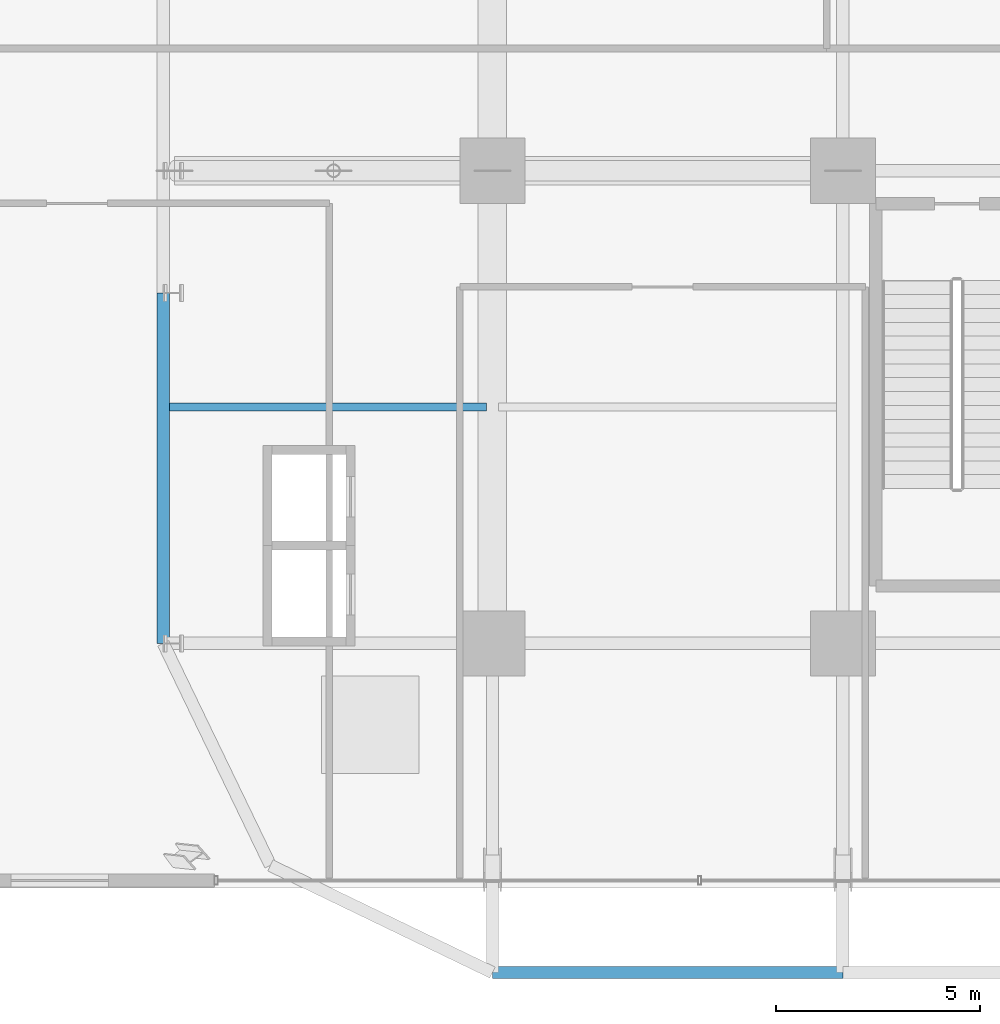
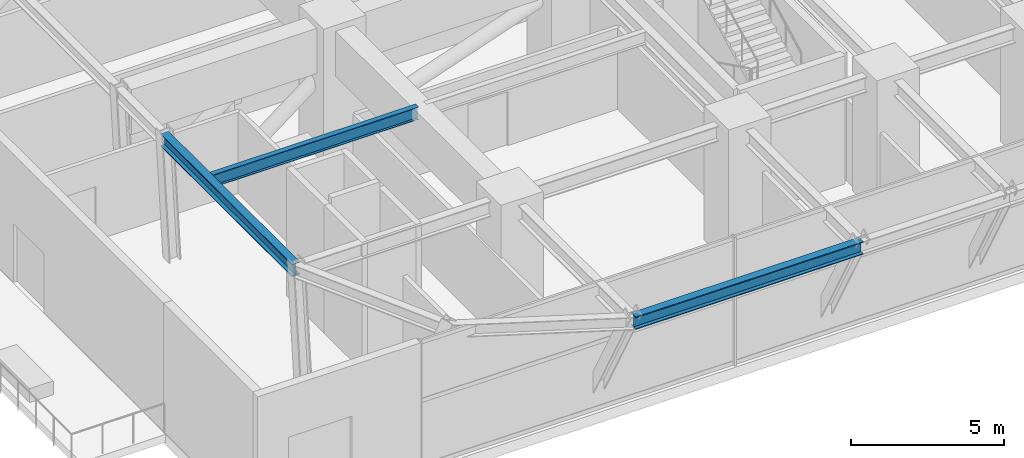
# One storey, part 3 of 29: 3 beams.
"""IFC4 building model written with IfcOpenShell, lengths in metres."""

from ifc_helpers import new_model, si_unit, direction, frame, origin, origin_2d, place, context, subcontext, project, spatial, i_section, extrude, source, transform, mapped, material, material_profile, profile_set, type_object, element, save


model = new_model("IFC4")

# Units and contexts
model_context = context("Model", 3, precision=1e-05, world=origin(), true_north=direction((0.0, 1.0)))
body_context = subcontext(model_context, "Body", "Model", "MODEL_VIEW")
ifc_project = project(units=[si_unit("LENGTHUNIT", "METRE"), si_unit("AREAUNIT", "SQUARE_METRE"), si_unit("VOLUMEUNIT", "CUBIC_METRE"), si_unit("PLANEANGLEUNIT", "RADIAN"), si_unit("MASSUNIT", "GRAM", prefix="KILO")], contexts=[model_context])

# Site, building, storey
site_placement = place(None, origin())
site = spatial("IfcSite", under=ifc_project, at=site_placement, CompositionType="ELEMENT")
building_placement = place(site_placement, origin())
building = spatial("IfcBuilding", under=site, at=building_placement, Name="Nahalor Promenade Grand Hotel", CompositionType="ELEMENT")
storey_placement = place(building_placement, frame((0.0, 0.0, 27.0)))
storey = spatial("IfcBuildingStorey", under=building, at=storey_placement, Name="L05", CompositionType="ELEMENT", Elevation=27.0)

# Beams
ifc_material = material(Name="Steel S355JR", Category="steel")
ifc_material_profile_1 = material_profile(ifc_material, i_section(OverallWidth=0.3, OverallDepth=0.5, WebThickness=0.0145, FlangeThickness=0.028, at=origin_2d()), Name="HEB 500")
ifc_profile_set_1 = profile_set([ifc_material_profile_1], Name="Steel S355JR")
beam_type_1 = type_object("IfcBeamType", Name="Beam-Spandrel-HEB500", PredefinedType="SPANDREL", material=ifc_profile_set_1)
shared_shape_1 = source(origin(), body_context, "Body", "SweptSolid", [
    extrude(i_section(OverallWidth=0.3, OverallDepth=0.5, WebThickness=0.0145, FlangeThickness=0.028, at=origin_2d()), origin(), (0.0, 0.0, 1.0), 8.60009765625),
])
for number, where, z_axis, x_axis, name in (
    (1, (-17.0, -25.080078125, 4.8701171875), (1.0, 0.0, 0.0), (0.0, 1.0, 0.0), "BM-L05-SP-S-0"),
    (2, (-25.080078125, -17.0, 4.8701171875), (0.0, 1.0, 0.0), (-1.0, 0.0, 0.0), "BM-L05-SP-W-0"),
):
    element("IfcBeam", number, at=place(storey_placement, frame(where, z_axis=z_axis, x_axis=x_axis)), inside=storey, type_object=beam_type_1, Name=name, PredefinedType="SPANDREL", context=body_context, shape_type="MappedRepresentation", body=[
        mapped(shared_shape_1, transform((0.0, 0.0, 0.0), scale=1.0)),
    ])
ifc_material_profile_2 = material_profile(ifc_material, i_section(OverallWidth=0.2, OverallDepth=0.5, WebThickness=0.0102, FlangeThickness=0.016, at=origin_2d()), Name="IPE 500")
ifc_profile_set_2 = profile_set([ifc_material_profile_2], Name="Steel S355JR")
beam_type_2 = type_object("IfcBeamType", Name="Beam-Joist-IPE500", PredefinedType="JOIST", material=ifc_profile_set_2)
shared_shape_2 = source(origin(), body_context, "Body", "SweptSolid", [
    extrude(i_section(OverallWidth=0.2, OverallDepth=0.5, WebThickness=0.0102, FlangeThickness=0.016, at=origin_2d()), origin(), (0.0, 0.0, 1.0), 7.780029296875),
])
beam_placement = place(storey_placement, frame((-24.929931640625, -11.199951171875, 4.8701171875), z_axis=(1.0, 0.0, 0.0), x_axis=(0.0, 1.0, 0.0)))
element("IfcBeam", 3, at=beam_placement, inside=storey, type_object=beam_type_2, Name="BM-L05-JSW-0-0", PredefinedType="JOIST", context=body_context, shape_type="MappedRepresentation", body=[
    mapped(shared_shape_2, transform((0.0, 0.0, 0.0), scale=1.0)),
])

save(model, "model.ifc")
